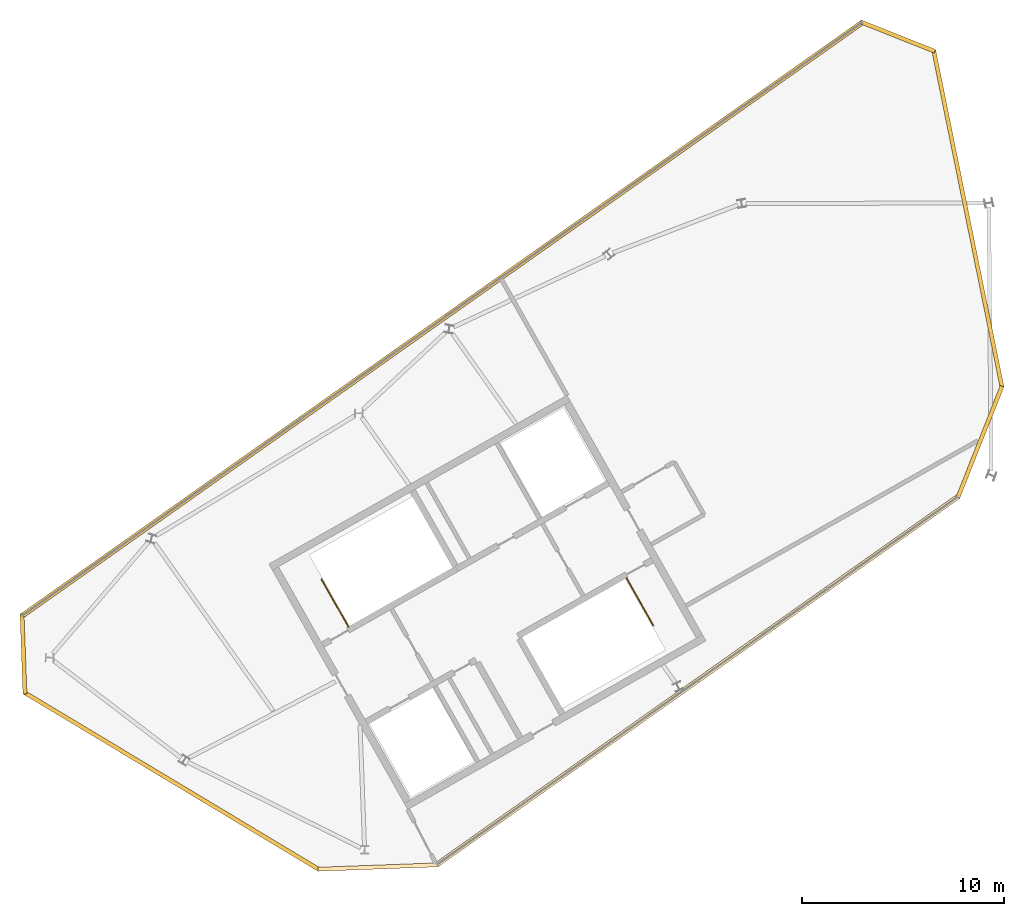
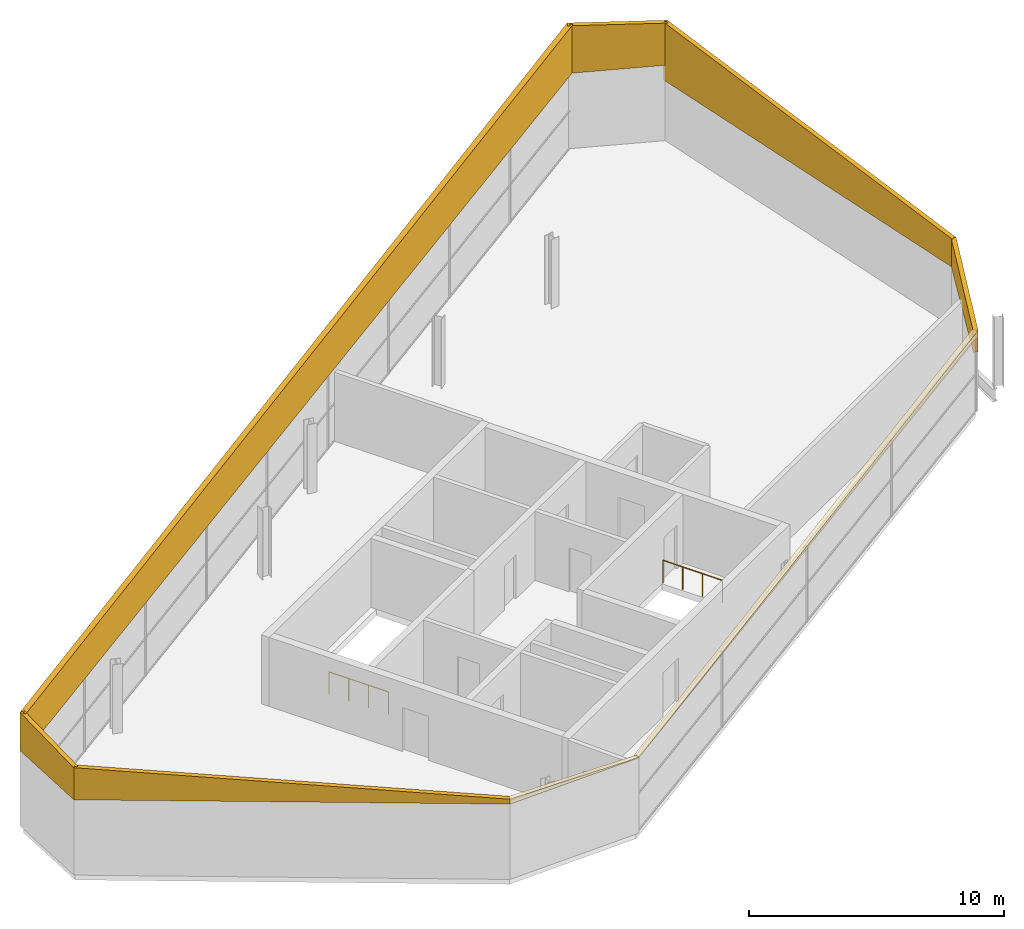
# One storey, part 10 of 10: 8 coverings, 2 railings.
"""IFC4 building model written with IfcOpenShell, lengths in metres."""

import ifcopenshell
import ifcopenshell.guid

model = None  # the IFC model being written
_history = None  # IfcOwnerHistory: only IFC2X3 demands one
_inside = {}  # id of a spatial element -> (the spatial element, [elements in it])
_under = {}  # id of a project, library or spatial element -> (it, [spatial elements below it])
_declared = {}  # id of a project -> (the project, [libraries it declares])
_typed = {}  # id of a type object -> (the type object, [elements of that type])
_made_of = {}  # id of a material, layer set ... -> (it, [elements and type objects made of it])


def new_model(schema):
    """Start an empty IFC model of exactly this schema.

    Asked for "IFC4X3", IfcOpenShell would pick the latest addendum, in which some entities
    have other attributes; the version numbers below select the first issue.
    IFC2X3 requires an IfcOwnerHistory on every rooted entity: one is made here for all.
    """
    global model, _history
    if schema == "IFC4X3":
        model = ifcopenshell.file(schema_version=(4, 3, 0, 0))
    else:
        model = ifcopenshell.file(schema=schema)
    _inside.clear()
    _under.clear()
    _declared.clear()
    _typed.clear()
    _made_of.clear()
    _history = None
    if model.schema == "IFC2X3":
        org = make("IfcOrganization", Name="unknown")
        user = make(
            "IfcPersonAndOrganization",
            ThePerson=make("IfcPerson", FamilyName="unknown"),
            TheOrganization=org,
        )
        app = make(
            "IfcApplication",
            ApplicationDeveloper=org,
            Version="unknown",
            ApplicationFullName="unknown",
            ApplicationIdentifier="unknown",
        )
        _history = make(
            "IfcOwnerHistory",
            OwningUser=user,
            OwningApplication=app,
            ChangeAction="ADDED",
            CreationDate=0,
        )
    return model


def make(cls, **values):
    """One entity of the class cls with the attributes given. An attribute that is None is left unset."""
    return model.create_entity(
        cls, **{name: value for name, value in values.items() if value is not None}
    )


def rooted(cls, **values):
    """An entity with a GlobalId (a new one), such as an element, a storey or a relation."""
    return make(cls, GlobalId=ifcopenshell.guid.new(), OwnerHistory=_history, **values)


def si_unit(unit_type, name, prefix=None):
    """IfcSIUnit, for example si_unit("LENGTHUNIT", "METRE", prefix="MILLI")."""
    return make("IfcSIUnit", UnitType=unit_type, Prefix=prefix, Name=name)


def assignment(units):
    """IfcUnitAssignment: the units of a project."""
    return None if units is None else make("IfcUnitAssignment", Units=units)


def point(xyz):
    """IfcCartesianPoint."""
    return None if xyz is None else make("IfcCartesianPoint", Coordinates=xyz)


def direction(xyz):
    """IfcDirection."""
    return None if xyz is None else make("IfcDirection", DirectionRatios=xyz)


def frame(location, z_axis=None, x_axis=None):
    """IfcAxis2Placement3D, a coordinate frame: its origin and axes. An axis left out is left unset."""
    return make(
        "IfcAxis2Placement3D",
        Location=point(location),
        Axis=direction(z_axis),
        RefDirection=direction(x_axis),
    )


def frame_2d(location, x_axis=None):
    """IfcAxis2Placement2D, a coordinate frame in the plane: its origin and x axis."""
    return make(
        "IfcAxis2Placement2D", Location=point(location), RefDirection=direction(x_axis)
    )


def origin():
    """The frame at (0, 0, 0) with its axes left unset."""
    return frame((0.0, 0.0, 0.0))


def origin_2d():
    """The frame at (0, 0) in the plane with its x axis left unset."""
    return frame_2d((0.0, 0.0))


def place(relative_to, where):
    """IfcLocalPlacement: puts the frame where relative to a parent placement (None: the world)."""
    return make(
        "IfcLocalPlacement", PlacementRelTo=relative_to, RelativePlacement=where
    )


def context(
    kind, dimensions, precision=None, world=None, true_north=None, identifier=None
):
    """IfcGeometricRepresentationContext, for example the 3D "Model" context."""
    return make(
        "IfcGeometricRepresentationContext",
        ContextIdentifier=identifier,
        ContextType=kind,
        CoordinateSpaceDimension=dimensions,
        Precision=precision,
        WorldCoordinateSystem=world,
        TrueNorth=true_north,
    )


def subcontext(parent, identifier, kind, view, scale=None):
    """IfcGeometricRepresentationSubContext, for example "Body" below "Model"."""
    return make(
        "IfcGeometricRepresentationSubContext",
        ContextIdentifier=identifier,
        ContextType=kind,
        ParentContext=parent,
        TargetScale=scale,
        TargetView=view,
    )


def project(units=None, contexts=None):
    """IfcProject with its units and contexts."""
    return rooted(
        "IfcProject",
        Name="project",
        RepresentationContexts=contexts,
        UnitsInContext=assignment(units),
    )


def spatial(cls, under=None, at=None, **own):
    """A site, building, storey or space (cls), placed at a placement, below another one or the project."""
    s = rooted(cls, ObjectPlacement=at, **own)
    if under is not None:
        _under.setdefault(under.id(), (under, []))[1].append(s)
    return s


def polyline(points):
    """IfcPolyline through the points."""
    return make("IfcPolyline", Points=[point(p) for p in points])


def profile(cls, at=None, kind="AREA", **sizes):
    """A parametric profile (cls). Its sizes go by their IFC names, for example OverallWidth=200.0."""
    return make(cls, ProfileType=kind, Position=at, **sizes)


def circle(**sizes):
    """IfcCircleProfileDef."""
    return profile("IfcCircleProfileDef", **sizes)


def outline(outer, holes=None, kind="AREA"):
    """IfcArbitraryClosedProfileDef: a profile drawn as a closed curve; with holes, ...WithVoids."""
    if holes is None:
        return make("IfcArbitraryClosedProfileDef", ProfileType=kind, OuterCurve=outer)
    return make(
        "IfcArbitraryProfileDefWithVoids",
        ProfileType=kind,
        OuterCurve=outer,
        InnerCurves=holes,
    )


def extrude(swept, where, along, depth):
    """IfcExtrudedAreaSolid: the profile swept, set in the frame where, extruded along a direction by depth."""
    return make(
        "IfcExtrudedAreaSolid",
        SweptArea=swept,
        Position=where,
        ExtrudedDirection=direction(along),
        Depth=depth,
    )


def shape(context_of_items, identifier, shape_type, items):
    """IfcShapeRepresentation: the items that make up one representation, for example the "Body"."""
    return make(
        "IfcShapeRepresentation",
        ContextOfItems=context_of_items,
        RepresentationIdentifier=identifier,
        RepresentationType=shape_type,
        Items=items,
    )


def material(Name=None, Category=None):
    """IfcMaterial."""
    return make("IfcMaterial", Name=Name, Category=Category)


def layer(
    of_material, thickness, ventilated=None, Name=None, Category=None, Priority=None
):
    """IfcMaterialLayer: one layer of a wall or slab, of a material (None: an air gap)."""
    return make(
        "IfcMaterialLayer",
        Material=of_material,
        LayerThickness=thickness,
        IsVentilated=ventilated,
        Name=Name,
        Category=Category,
        Priority=Priority,
    )


def layer_set(layers, Name=None):
    """IfcMaterialLayerSet."""
    return make("IfcMaterialLayerSet", MaterialLayers=layers, LayerSetName=Name)


def made_of(thing, what):
    """Note that an element or type object is made of a material, layer set ...; save() writes the relation."""
    if what is not None:
        _made_of.setdefault(what.id(), (what, []))[1].append(thing)
    return thing


def type_object(cls, material=None, **own):
    """A type object (cls), such as IfcWallType, which elements share."""
    return made_of(rooted(cls, **own), material)


def element(
    cls,
    number,
    at=None,
    inside=None,
    cuts=None,
    type_object=None,
    material=None,
    context=None,
    identifier="Body",
    shape_type=None,
    held_by="IfcProductDefinitionShape",
    body=None,
    shapes=None,
    **own,
):
    """One element of the class cls, such as IfcWall. Its Tag is "e" and its number.

    at: its placement. inside: the storey or other place that contains it. cuts: it is an
    opening in that element (IfcRelVoidsElement). A single representation is given by context,
    identifier, shape_type and body (its items); several are given by shapes. held_by: the class
    of the entity that holds the representations. save() writes the other relations.
    """
    e = rooted(cls, Tag="e%d" % number, ObjectPlacement=at, **own)
    if body is not None:
        shapes = [shape(context, identifier, shape_type, body)]
    if shapes is not None:
        e.Representation = make(held_by, Representations=shapes)
    if inside is not None:
        _inside.setdefault(inside.id(), (inside, []))[1].append(e)
    if cuts is not None:
        rooted(
            "IfcRelVoidsElement", RelatingBuildingElement=cuts, RelatedOpeningElement=e
        )
    if type_object is not None:
        _typed.setdefault(type_object.id(), (type_object, []))[1].append(e)
    return made_of(e, material)


def aggregate(whole, parts):
    """IfcRelAggregates: a whole, such as a stair, and the parts it consists of."""
    return rooted("IfcRelAggregates", RelatingObject=whole, RelatedObjects=parts)


def save(model, path):
    """Write the relations noted so far, then the file.

    IfcRelAggregates (storeys below a building ...), IfcRelContainedInSpatialStructure (elements
    in a storey), IfcRelDefinesByType, IfcRelAssociatesMaterial and IfcRelDeclares: one each for
    every whole, place, type object, material and project.
    """
    for whole, parts in _under.values():
        aggregate(whole, parts)
    for where, things in _inside.values():
        rooted(
            "IfcRelContainedInSpatialStructure",
            RelatedElements=things,
            RelatingStructure=where,
        )
    for kind, things in _typed.values():
        rooted("IfcRelDefinesByType", RelatedObjects=things, RelatingType=kind)
    for what, things in _made_of.values():
        rooted("IfcRelAssociatesMaterial", RelatedObjects=things, RelatingMaterial=what)
    for by, libraries in _declared.values():
        rooted("IfcRelDeclares", RelatingContext=by, RelatedDefinitions=libraries)
    model.write(path)


model = new_model("IFC4")

# Units and contexts
model_context = context("Model", 3, precision=1e-05, world=origin(), true_north=direction((0.0, 1.0)))
body_context = subcontext(model_context, "Body", "Model", "MODEL_VIEW")
ifc_project = project(units=[si_unit("LENGTHUNIT", "METRE"), si_unit("AREAUNIT", "SQUARE_METRE"), si_unit("VOLUMEUNIT", "CUBIC_METRE"), si_unit("PLANEANGLEUNIT", "RADIAN"), si_unit("MASSUNIT", "GRAM", prefix="KILO")], contexts=[model_context])

# Site, building, storey
site_placement = place(None, origin())
site = spatial("IfcSite", under=ifc_project, at=site_placement, CompositionType="ELEMENT")
building_placement = place(site_placement, origin())
building = spatial("IfcBuilding", under=site, at=building_placement, Name="Binnacle Exchange Tower", CompositionType="ELEMENT")
storey_placement = place(building_placement, frame((0.0, 0.0, 368.5)))
storey = spatial("IfcBuildingStorey", under=building, at=storey_placement, Name="L85", CompositionType="ELEMENT", Elevation=368.5)

# Coverings
ifc_material_1 = material(Name="Bronze aluminium louvre", Category="aluminium")
ifc_layer = layer(ifc_material_1, 0.199951171875)
ifc_layer_set = layer_set([ifc_layer], Name="Crown gable cladding 200")
covering_type = type_object("IfcCoveringType", Name="Crown gable cladding 200", PredefinedType="CLADDING", material=ifc_layer_set)
covering_1_placement = place(storey_placement, frame((-10.220458984375, 50.5009765625, 2.85009765625), z_axis=(0.0, 0.0, 1.0), x_axis=(-0.369026712049, -0.929418789241, 0.0)))
element("IfcCovering", 1, at=covering_1_placement, inside=storey, type_object=covering_type, Name="Crown gable cladding C300", PredefinedType="CLADDING", context=body_context, shape_type="SweptSolid", body=[
    extrude(outline(polyline([(0.0, 0.0), (5.968017578125, 0.0), (5.96826171875, 1.022705078125), (0.0, 1.35009765625), (0.0, 0.0)])), frame((0.0, 0.10009765625, 0.0), z_axis=(0.0, -1.0, 0.0), x_axis=(1.0, 0.0, 0.0)), (0.0, 0.0, 1.0), 0.199951171875),
])
covering_2_placement = place(storey_placement, frame((-13.61962890625, 67.187744140625, 2.85009765625), z_axis=(0.0, 0.0, 1.0), x_axis=(0.198668549131, -0.980066736292, 0.0)))
element("IfcCovering", 2, at=covering_2_placement, inside=storey, type_object=covering_type, Name="Crown gable cladding C301", PredefinedType="CLADDING", context=body_context, shape_type="SweptSolid", body=[
    extrude(outline(polyline([(0.0, 0.0), (17.083984375, 0.0), (17.083984375, 1.345947265625), (0.0, 2.76708984375), (0.0, 0.0)])), frame((0.0, 0.10009765625, 0.0), z_axis=(0.0, -1.0, 0.0), x_axis=(1.0, 0.0, 0.0)), (0.0, 0.0, 1.0), 0.199951171875),
])
covering_3_placement = place(storey_placement, frame((-17.2412109375, 68.576904296875, 3.60009765625), z_axis=(0.0, 0.0, 1.0), x_axis=(0.929408544005, -0.369052514325, 0.0)))
element("IfcCovering", 3, at=covering_3_placement, inside=storey, type_object=covering_type, Name="Crown gable cladding C302", PredefinedType="CLADDING", context=body_context, shape_type="SweptSolid", body=[
    extrude(outline(polyline([(0.0, 0.0), (3.962646484375, 0.0), (3.96240234375, 2.009033203125), (0.0, 2.279052734375), (0.0, 0.0)])), frame((0.0, 0.10009765625, 0.0), z_axis=(0.0, -1.0, 0.0), x_axis=(1.0, 0.0, 0.0)), (0.0, 0.0, 1.0), 0.199951171875),
])
covering_4_placement = place(storey_placement, frame((-58.887939453125, 39.079833984375, 3.60009765625), z_axis=(0.0, 0.0, 1.0), x_axis=(0.816845808535, 0.576856069639, 0.0)))
element("IfcCovering", 4, at=covering_4_placement, inside=storey, type_object=covering_type, Name="Crown gable cladding C303", PredefinedType="CLADDING", context=body_context, shape_type="SweptSolid", body=[
    extrude(outline(polyline([(0.0, 0.0), (51.1181640625, 0.0), (51.1181640625, 2.273681640625), (0.0, 1.8271484375), (0.0, 0.0)])), frame((0.0, 0.125, 0.0), z_axis=(0.0, -1.0, 0.0), x_axis=(1.0, 0.0, 0.0)), (0.0, 0.0, 1.0), 0.25),
])
covering_5_placement = place(storey_placement, frame((-58.714111328125, 35.22607421875, 3.60009765625), z_axis=(0.0, 0.0, 1.0), x_axis=(-0.036847570404, 0.999320897688, 0.0)))
element("IfcCovering", 5, at=covering_5_placement, inside=storey, type_object=covering_type, Name="Crown gable cladding C304", PredefinedType="CLADDING", context=body_context, shape_type="SweptSolid", body=[
    extrude(outline(polyline([(0.0, 0.0), (3.962158203125, 0.0), (3.96240234375, 1.833984375), (0.0, 1.526123046875), (0.0, 0.0)])), frame((0.0, 0.10009765625, 0.0), z_axis=(0.0, -1.0, 0.0), x_axis=(1.0, 0.0, 0.0)), (0.0, 0.0, 1.0), 0.199951171875),
])
covering_6_placement = place(storey_placement, frame((-44.11865234375, 26.50927734375, 3.60009765625), z_axis=(0.0, 0.0, 1.0), x_axis=(-0.857168693653, 0.515035756644, 0.0)))
element("IfcCovering", 6, at=covering_6_placement, inside=storey, type_object=covering_type, Name="Crown gable cladding C305", PredefinedType="CLADDING", context=body_context, shape_type="SweptSolid", body=[
    extrude(outline(polyline([(0.0, 0.0), (17.083984375, 0.0), (17.083984375, 1.534423828125), (0.0, 0.233642578125), (0.0, 0.0)])), frame((0.0, 0.10009765625, 0.0), z_axis=(0.0, -1.0, 0.0), x_axis=(1.0, 0.0, 0.0)), (0.0, 0.0, 1.0), 0.199951171875),
])
covering_7_placement = place(storey_placement, frame((-38.209716796875, 26.74365234375, 3.60009765625), z_axis=(0.0, 0.0, 1.0), x_axis=(-0.999319030106, -0.036898185155, 0.0)))
element("IfcCovering", 7, at=covering_7_placement, inside=storey, type_object=covering_type, Name="Crown gable cladding C306", PredefinedType="CLADDING", context=body_context, shape_type="SweptSolid", body=[
    extrude(outline(polyline([(0.0, 0.0), (5.96826171875, 0.0), (5.96826171875, 0.237060546875), (0.0, 0.02001953125), (0.0, 0.0)])), frame((0.0, 0.10009765625, 0.0), z_axis=(0.0, -1.0, 0.0), x_axis=(1.0, 0.0, 0.0)), (0.0, 0.0, 1.0), 0.199951171875),
])
covering_8_placement = place(storey_placement, frame((-12.402099609375, 45.019287109375, 3.60009765625), z_axis=(0.0, 0.0, 1.0), x_axis=(-0.816848236088, -0.576852632135, 0.0)))
element("IfcCovering", 8, at=covering_8_placement, inside=storey, type_object=covering_type, Name="Crown gable cladding C307", PredefinedType="CLADDING", context=body_context, shape_type="SweptSolid", body=[
    extrude(outline(polyline([(0.0, 0.0), (31.677734375, 0.0), (31.677734375, 0.02001953125), (0.0, 0.276611328125), (0.0, 0.0)])), frame((0.0, 0.125, 0.0), z_axis=(0.0, -1.0, 0.0), x_axis=(1.0, 0.0, 0.0)), (0.0, 0.0, 1.0), 0.25),
])

# Railings
ifc_material_2 = material(Name="Steel guard rail", Category="steel")
railing_type = type_object("IfcRailingType", Name="STAIR GUARD 1100", PredefinedType="GUARDRAIL", material=ifc_material_2)
railing_1_placement = place(storey_placement, frame((-42.6650390625, 38.561279296875, 0.0)))
element("IfcRailing", 9, at=railing_1_placement, inside=storey, type_object=railing_type, Name="L85 STA1 top well guard 1", PredefinedType="GUARDRAIL", context=body_context, shape_type="SweptSolid", body=[
    extrude(circle(Radius=0.02392578125, at=origin_2d()), frame((0.0, 0.0, 1.076171875), z_axis=(-0.492453494343, 0.870338759282, 0.0), x_axis=(-0.870338759282, -0.492453494343, 0.0)), (0.0, 0.0, 1.0), 2.699951171875),
    extrude(circle(Radius=0.02099609375, at=origin_2d()), origin(), (0.0, 0.0, 1.0), 1.052001953125),
    extrude(circle(Radius=0.02099609375, at=origin_2d()), frame((-0.443115234375, 0.783203125, 0.0)), (0.0, 0.0, 1.0), 1.052001953125),
    extrude(circle(Radius=0.02099609375, at=origin_2d()), frame((-0.886474609375, 1.566650390625, 0.0)), (0.0, 0.0, 1.0), 1.052001953125),
    extrude(circle(Radius=0.02099609375, at=origin_2d()), frame((-1.32958984375, 2.349853515625, 0.0)), (0.0, 0.0, 1.0), 1.052001953125),
])
railing_2_placement = place(storey_placement, frame((-28.862060546875, 40.970458984375, 0.0)))
element("IfcRailing", 10, at=railing_2_placement, inside=storey, type_object=railing_type, Name="L85 STA2 top well guard 1", PredefinedType="GUARDRAIL", context=body_context, shape_type="SweptSolid", body=[
    extrude(circle(Radius=0.02392578125, at=origin_2d()), frame((0.0, 0.0, 1.076171875), z_axis=(0.492453494343, -0.870338759282, 0.0), x_axis=(0.870338759282, 0.492453494343, 0.0)), (0.0, 0.0, 1.0), 2.699951171875),
    extrude(circle(Radius=0.02099609375, at=origin_2d()), origin(), (0.0, 0.0, 1.0), 1.052001953125),
    extrude(circle(Radius=0.02099609375, at=origin_2d()), frame((0.443115234375, -0.783203125, 0.0)), (0.0, 0.0, 1.0), 1.052001953125),
    extrude(circle(Radius=0.02099609375, at=origin_2d()), frame((0.886474609375, -1.566650390625, 0.0)), (0.0, 0.0, 1.0), 1.052001953125),
    extrude(circle(Radius=0.02099609375, at=origin_2d()), frame((1.32958984375, -2.349853515625, 0.0)), (0.0, 0.0, 1.0), 1.052001953125),
])

save(model, "model.ifc")
